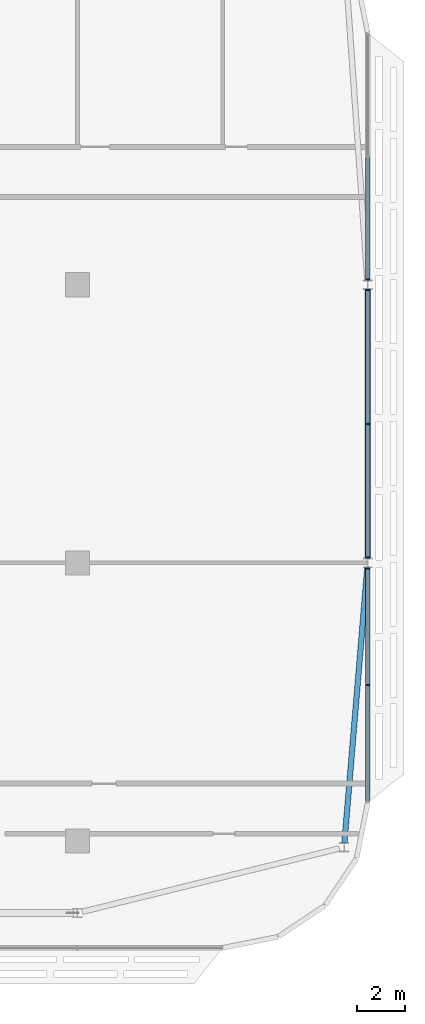
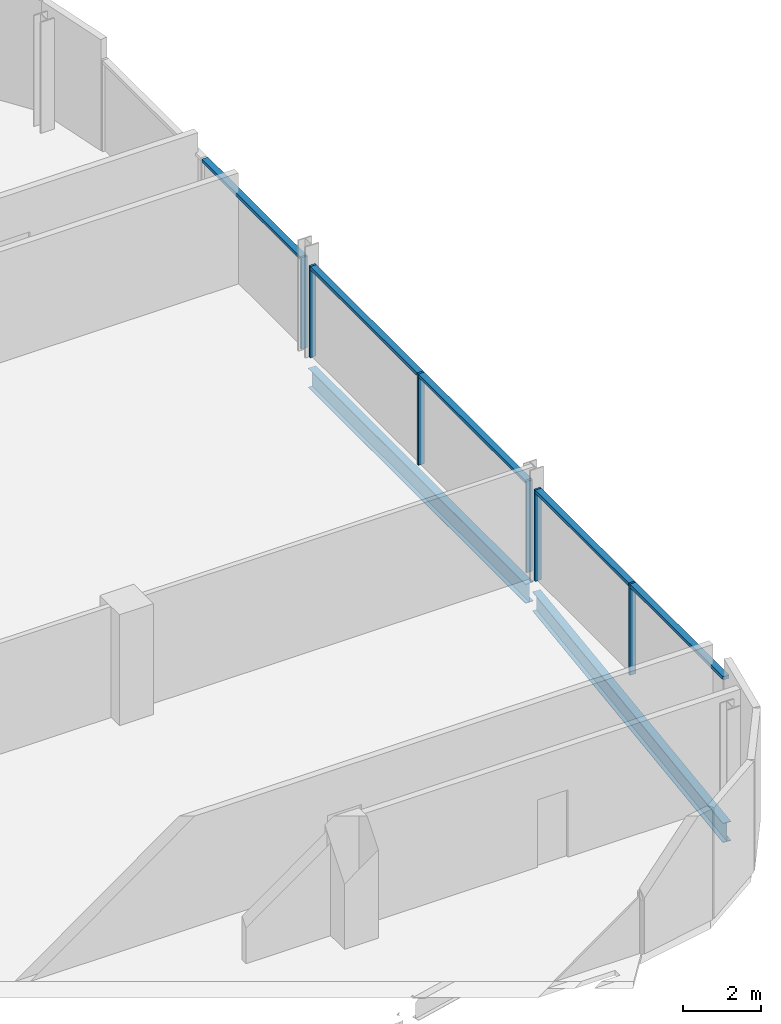
# One storey, part 13 of 32: 11 members, 2 beams, 3 elements without a shape of their own.
"""IFC4 building model written with IfcOpenShell, lengths in metres."""

from ifc_helpers import new_model, si_unit, direction, frame, origin, origin_2d, place, context, subcontext, project, spatial, rectangle, i_section, extrude, material, material_profile, profile_set, type_object, element, aggregate, save


model = new_model("IFC4")

# Units and contexts
model_context = context("Model", 3, precision=1e-05, world=origin(), true_north=direction((0.0, 1.0)))
body_context = subcontext(model_context, "Body", "Model", "MODEL_VIEW")
ifc_project = project(units=[si_unit("LENGTHUNIT", "METRE"), si_unit("AREAUNIT", "SQUARE_METRE"), si_unit("VOLUMEUNIT", "CUBIC_METRE"), si_unit("PLANEANGLEUNIT", "RADIAN"), si_unit("MASSUNIT", "GRAM", prefix="KILO")], contexts=[model_context])

# Site, building, storey
site_placement = place(None, origin())
site = spatial("IfcSite", under=ifc_project, at=site_placement, CompositionType="ELEMENT")
building_placement = place(site_placement, origin())
building = spatial("IfcBuilding", under=site, at=building_placement, Name="Mahtab Terrace Research Tower", CompositionType="ELEMENT")
storey_placement = place(building_placement, frame((0.0, 0.0, 240.0)))
storey = spatial("IfcBuildingStorey", under=building, at=storey_placement, Name="L58", CompositionType="ELEMENT", Elevation=240.0)

# Curtain wall, members
ifc_material_1 = material(Name="Office ribbon curtain wall")
curtain_wall_type = type_object("IfcCurtainWallType", Name="Office ribbon curtain wall", PredefinedType="NOTDEFINED", material=ifc_material_1)
curtain_wall_1_placement = place(storey_placement, origin())
curtain_wall_1 = element("IfcCurtainWall", 1, at=curtain_wall_1_placement, inside=storey, type_object=curtain_wall_type, Name="EN.L58.18.21", PredefinedType="NOTDEFINED")
ifc_material_2 = material(Name="Natural anodised aluminium", Category="aluminium")
ifc_material_profile_1 = material_profile(ifc_material_2, rectangle(XDim=0.179931640625, YDim=0.06005859375, at=origin_2d()), Name="MULLION 60x180")
ifc_profile_set_1 = profile_set([ifc_material_profile_1], Name="Natural anodised aluminium")
member_type_1 = type_object("IfcMemberType", Name="Office ribbon curtain wall mullion", PredefinedType="MULLION", material=ifc_profile_set_1)
member_1_placement = place(storey_placement, frame((54.0, -5.054931640625, 0.0), z_axis=(0.0, 0.0, 1.0), x_axis=(-1.0, 0.0, 0.0)))
member_1 = element("IfcMember", 2, at=member_1_placement, type_object=member_type_1, Name="CWO-7 mullion 2", PredefinedType="MULLION", context=body_context, shape_type="SweptSolid", body=[
    extrude(rectangle(XDim=0.179931640625, YDim=0.06005859375, at=origin_2d()), origin(), (0.0, 0.0, 1.0), 2.852783203125),
])
member_2_placement = place(storey_placement, frame((54.0, -0.222900390625, 0.0), z_axis=(0.0, 0.0, 1.0), x_axis=(-1.0, 0.0, 0.0)))
member_2 = element("IfcMember", 3, at=member_2_placement, type_object=member_type_1, Name="CWO-7 mullion 3", PredefinedType="MULLION", context=body_context, shape_type="SweptSolid", body=[
    extrude(rectangle(XDim=0.179931640625, YDim=0.06005859375, at=origin_2d()), origin(), (0.0, 0.0, 1.0), 2.852783203125),
])

curtain_wall_2_placement = place(storey_placement, origin())
curtain_wall_2 = element("IfcCurtainWall", 4, at=curtain_wall_2_placement, inside=storey, type_object=curtain_wall_type, Name="EN.L58.18.22", PredefinedType="NOTDEFINED")
member_3_placement = place(storey_placement, frame((54.0, 0.222900390625, 0.0), z_axis=(0.0, 0.0, 1.0), x_axis=(-1.0, 0.0, 0.0)))
member_3 = element("IfcMember", 5, at=member_3_placement, type_object=member_type_1, Name="CWO-7 mullion 1", PredefinedType="MULLION", context=body_context, shape_type="SweptSolid", body=[
    extrude(rectangle(XDim=0.179931640625, YDim=0.06005859375, at=origin_2d()), origin(), (0.0, 0.0, 1.0), 2.852783203125),
])
member_4_placement = place(storey_placement, frame((54.0, 5.75, 0.0), z_axis=(0.0, 0.0, 1.0), x_axis=(-1.0, 0.0, 0.0)))
member_4 = element("IfcMember", 6, at=member_4_placement, type_object=member_type_1, Name="CWO-7 mullion 2", PredefinedType="MULLION", context=body_context, shape_type="SweptSolid", body=[
    extrude(rectangle(XDim=0.179931640625, YDim=0.06005859375, at=origin_2d()), origin(), (0.0, 0.0, 1.0), 2.852783203125),
])
member_5_placement = place(storey_placement, frame((54.0, 11.277099609375, 0.0), z_axis=(0.0, 0.0, 1.0), x_axis=(-1.0, 0.0, 0.0)))
member_5 = element("IfcMember", 7, at=member_5_placement, type_object=member_type_1, Name="CWO-7 mullion 3", PredefinedType="MULLION", context=body_context, shape_type="SweptSolid", body=[
    extrude(rectangle(XDim=0.179931640625, YDim=0.06005859375, at=origin_2d()), origin(), (0.0, 0.0, 1.0), 2.852783203125),
])

# Curtain wall, member
curtain_wall_3_placement = place(storey_placement, origin())
curtain_wall_3 = element("IfcCurtainWall", 8, at=curtain_wall_3_placement, inside=storey, type_object=curtain_wall_type, Name="EN.L58.18.23", PredefinedType="NOTDEFINED")
member_6_placement = place(storey_placement, frame((54.0, 11.722900390625, 0.0), z_axis=(0.0, 0.0, 1.0), x_axis=(-1.0, 0.0, 0.0)))
member_6 = element("IfcMember", 9, at=member_6_placement, type_object=member_type_1, Name="CWO-7 mullion 1", PredefinedType="MULLION", context=body_context, shape_type="SweptSolid", body=[
    extrude(rectangle(XDim=0.179931640625, YDim=0.06005859375, at=origin_2d()), origin(), (0.0, 0.0, 1.0), 2.852783203125),
])

# Member
ifc_material_profile_2 = material_profile(ifc_material_2, rectangle(XDim=0.179931640625, YDim=0.10009765625, at=origin_2d()), Name="TRANSOM 100x180")
ifc_profile_set_2 = profile_set([ifc_material_profile_2], Name="Natural anodised aluminium")
member_type_2 = type_object("IfcMemberType", Name="Office ribbon curtain wall transom", PredefinedType="USERDEFINED", material=ifc_profile_set_2)
member_7_placement = place(storey_placement, frame((54.0, -9.85693359375, 2.802978515625), z_axis=(0.0, 1.0, 0.0), x_axis=(-1.0, 0.0, 0.0)))
member_7 = element("IfcMember", 10, at=member_7_placement, type_object=member_type_2, Name="CWO-7 transom 1", ObjectType="TRANSOM", PredefinedType="USERDEFINED", context=body_context, shape_type="SweptSolid", body=[
    extrude(rectangle(XDim=0.179931640625, YDim=0.10009765625, at=origin_2d()), origin(), (0.0, 0.0, 1.0), 4.77197265625),
])

member_8_placement = place(storey_placement, frame((54.0, -5.02490234375, 2.802978515625), z_axis=(0.0, 1.0, 0.0), x_axis=(-1.0, 0.0, 0.0)))
member_8 = element("IfcMember", 11, at=member_8_placement, type_object=member_type_2, Name="CWO-7 transom 2", ObjectType="TRANSOM", PredefinedType="USERDEFINED", context=body_context, shape_type="SweptSolid", body=[
    extrude(rectangle(XDim=0.179931640625, YDim=0.10009765625, at=origin_2d()), origin(), (0.0, 0.0, 1.0), 4.77197265625),
])

aggregate(curtain_wall_1, [member_1, member_2, member_7, member_8])

member_9_placement = place(storey_placement, frame((54.0, 0.2529296875, 2.802978515625), z_axis=(0.0, 1.0, 0.0), x_axis=(-1.0, 0.0, 0.0)))
member_9 = element("IfcMember", 12, at=member_9_placement, type_object=member_type_2, Name="CWO-7 transom 1", ObjectType="TRANSOM", PredefinedType="USERDEFINED", context=body_context, shape_type="SweptSolid", body=[
    extrude(rectangle(XDim=0.179931640625, YDim=0.10009765625, at=origin_2d()), origin(), (0.0, 0.0, 1.0), 5.467041015625),
])

member_10_placement = place(storey_placement, frame((54.0, 5.780029296875, 2.802978515625), z_axis=(0.0, 1.0, 0.0), x_axis=(-1.0, 0.0, 0.0)))
member_10 = element("IfcMember", 13, at=member_10_placement, type_object=member_type_2, Name="CWO-7 transom 2", ObjectType="TRANSOM", PredefinedType="USERDEFINED", context=body_context, shape_type="SweptSolid", body=[
    extrude(rectangle(XDim=0.179931640625, YDim=0.10009765625, at=origin_2d()), origin(), (0.0, 0.0, 1.0), 5.467041015625),
])

aggregate(curtain_wall_2, [member_3, member_4, member_5, member_9, member_10])

member_11_placement = place(storey_placement, frame((54.0, 11.7529296875, 2.802978515625), z_axis=(0.0, 1.0, 0.0), x_axis=(-1.0, 0.0, 0.0)))
member_11 = element("IfcMember", 14, at=member_11_placement, type_object=member_type_2, Name="CWO-7 transom 1", ObjectType="TRANSOM", PredefinedType="USERDEFINED", context=body_context, shape_type="SweptSolid", body=[
    extrude(rectangle(XDim=0.179931640625, YDim=0.10009765625, at=origin_2d()), origin(), (0.0, 0.0, 1.0), 5.02197265625),
])

aggregate(curtain_wall_3, [member_6, member_11])

# Beams
ifc_material_3 = material(Name="Steel ASTM A992 Gr 50", Category="steel")
ifc_material_profile_3 = material_profile(ifc_material_3, i_section(OverallWidth=0.228271484375, OverallDepth=0.607177734375, WebThickness=0.01123046875, FlangeThickness=0.017333984375, at=origin_2d()), Name="W24X76")
ifc_profile_set_3 = profile_set([ifc_material_profile_3], Name="Steel ASTM A992 Gr 50")
beam_type = type_object("IfcBeamType", Name="W24x76 beam BS2476", PredefinedType="BEAM", material=ifc_profile_set_3)
beam_1_placement = place(storey_placement, frame((53.037109375, -11.56494140625, -0.6435546875), z_axis=(0.08296934335, 0.996552100025, 0.0), x_axis=(-0.996552100025, 0.08296934335, 0.0)))
element("IfcBeam", 15, at=beam_1_placement, inside=storey, type_object=beam_type, Name="Spandrel beam L58 20", PredefinedType="BEAM", context=body_context, shape_type="SweptSolid", body=[
    extrude(i_section(OverallWidth=0.228271484375, OverallDepth=0.607177734375, WebThickness=0.01123046875, FlangeThickness=0.017333984375, at=origin_2d()), origin(), (0.0, 0.0, 1.0), 11.4111328125),
])
beam_2_placement = place(storey_placement, frame((54.0, 0.193115234375, -0.6435546875), z_axis=(0.0, 1.0, 0.0), x_axis=(-1.0, 0.0, 0.0)))
element("IfcBeam", 16, at=beam_2_placement, inside=storey, type_object=beam_type, Name="Spandrel beam L58 21", PredefinedType="BEAM", context=body_context, shape_type="SweptSolid", body=[
    extrude(i_section(OverallWidth=0.228271484375, OverallDepth=0.607177734375, WebThickness=0.01123046875, FlangeThickness=0.017333984375, at=origin_2d()), origin(), (0.0, 0.0, 1.0), 11.11376953125),
])

save(model, "model.ifc")
